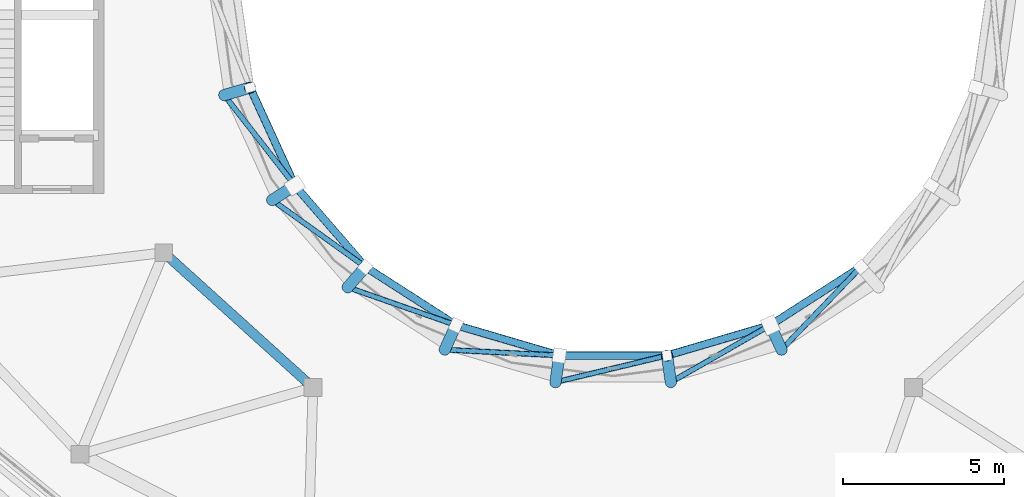
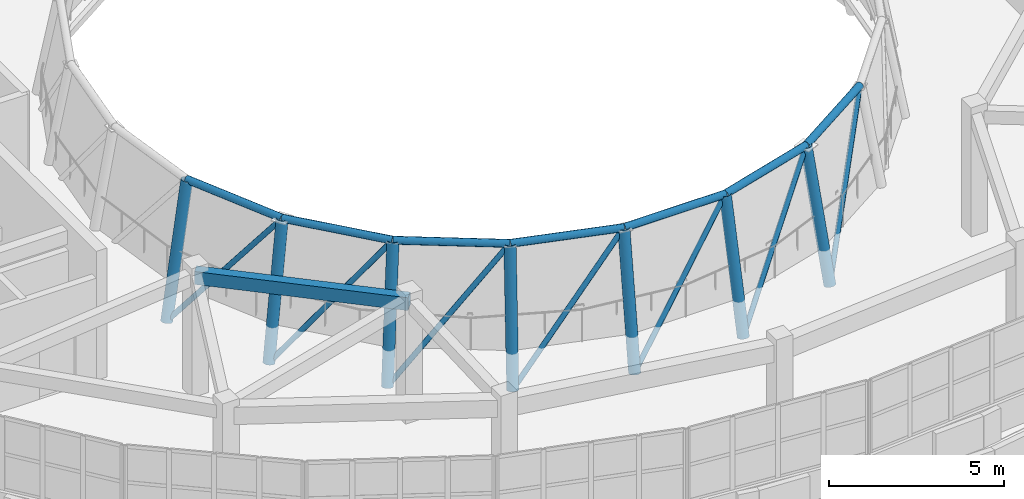
# One storey, part 7 of 46: 15 beams, 7 members.
"""IFC4 building model written with IfcOpenShell, lengths in metres."""

from ifc_helpers import new_model, si_unit, direction, frame, origin, origin_2d, place, context, subcontext, project, spatial, rectangle, hollow_circle, extrude, material, material_profile, profile_set, type_object, element, save


model = new_model("IFC4")

# Units and contexts
model_context = context("Model", 3, precision=1e-05, world=origin(), true_north=direction((0.0, 1.0)))
body_context = subcontext(model_context, "Body", "Model", "MODEL_VIEW")
ifc_project = project(units=[si_unit("LENGTHUNIT", "METRE"), si_unit("AREAUNIT", "SQUARE_METRE"), si_unit("VOLUMEUNIT", "CUBIC_METRE"), si_unit("PLANEANGLEUNIT", "RADIAN"), si_unit("MASSUNIT", "GRAM", prefix="KILO")], contexts=[model_context])

# Site, building, storey
site_placement = place(None, origin())
site = spatial("IfcSite", under=ifc_project, at=site_placement, CompositionType="ELEMENT")
building_placement = place(site_placement, origin())
building = spatial("IfcBuilding", under=site, at=building_placement, Name="Pelvatis Terrace Science Centre", CompositionType="ELEMENT")
storey_placement = place(building_placement, frame((0.0, 0.0, 19.800048828125)))
storey = spatial("IfcBuildingStorey", under=building, at=storey_placement, Name="L04", CompositionType="ELEMENT", Elevation=19.800048828125)

# Beams
ifc_material_1 = material(Name="Structural steel S355", Category="steel")
ifc_material_profile_1 = material_profile(ifc_material_1, hollow_circle(Radius=0.177734375, WallThickness=0.012451171875, at=origin_2d()), Name="CHS 355.6x12.5")
ifc_profile_set_1 = profile_set([ifc_material_profile_1], Name="Structural steel S355")
beam_type_1 = type_object("IfcBeamType", Name="BM-DOME-CHS355", PredefinedType="BEAM", material=ifc_profile_set_1)
for number, where, z_axis, x_axis, name in (
    (1, (97.1103515625, 82.250244140625, -1.199951171875), (0.174854376661, 0.051302667522, 0.983256824674), (-0.28153445715, 0.95955111872, 0.0), "Planetarium meridional dome rib 13.1"),
    (2, (98.60009765625, 78.98779296875, -1.199951171875), (0.153321899668, 0.098564078358, 0.983248451583), (-0.540757591313, 0.841178475377, 0.0), "Planetarium meridional dome rib 14.1"),
    (3, (100.94873046875, 76.277587890625, -1.199951171875), (0.119351906384, 0.137693290662, 0.983257687562), (-0.755640948866, 0.654986073438, 0.0), "Planetarium meridional dome rib 15.1"),
    (4, (103.9658203125, 74.338623046875, -1.199951171875), (0.075704559648, 0.165763214173, 0.983255499082), (-0.909625699298, 0.415428799166, 0.0), "Planetarium meridional dome rib 16.1"),
    (5, (107.40673828125, 73.328125, -1.199951171875), (0.025943664668, 0.180382897987, 0.983254258256), (-0.98981485559, 0.142360639413, 0.0), "Planetarium meridional dome rib 17.1"),
    (6, (110.9931640625, 73.328125, -1.199951171875), (-0.025943664668, 0.180382897987, 0.983254258256), (-0.98981485559, -0.142360639413, 0.0), "Planetarium meridional dome rib 18.1"),
    (7, (114.43408203125, 74.338623046875, -1.199951171875), (-0.075651700703, 0.165763881091, 0.98325945503), (-0.909735922328, -0.415187369299, 0.0), "Planetarium meridional dome rib 19.1"),
):
    element("IfcBeam", number, at=place(storey_placement, frame(where, z_axis=z_axis, x_axis=x_axis)), inside=storey, type_object=beam_type_1, Name=name, PredefinedType="BEAM", context=body_context, shape_type="SweptSolid", body=[
        extrude(hollow_circle(Radius=0.177734375, WallThickness=0.012451171875, at=origin_2d()), origin(), (0.0, 0.0, 1.0), 4.59228515625),
    ])
ifc_material_2 = material(Name="Structural steel S355", Category="steel")
ifc_material_profile_2 = material_profile(ifc_material_2, hollow_circle(Radius=0.122314453125, WallThickness=0.010009765625, at=origin_2d()), Name="CHS 244.5x10.0")
ifc_profile_set_2 = profile_set([ifc_material_profile_2], Name="Structural steel S355")
beam_type_2 = type_object("IfcBeamType", Name="BM-HOOP-CHS244", PredefinedType="BEAM", material=ifc_profile_set_2)
beam_1_placement = place(storey_placement, frame((97.913330078125, 82.48583984375, 3.3154296875), z_axis=(0.415434023951, -0.909623313105, 0.0), x_axis=(0.909623313105, 0.415434023951, 0.0)))
element("IfcBeam", 8, at=beam_1_placement, inside=storey, type_object=beam_type_2, Name="Planetarium dome hoop ring 2.13", PredefinedType="BEAM", context=body_context, shape_type="SweptSolid", body=[
    extrude(hollow_circle(Radius=0.122314453125, WallThickness=0.010009765625, at=origin_2d()), origin(), (0.0, 0.0, 1.0), 3.347900390625),
])
beam_2_placement = place(storey_placement, frame((99.30419921875, 79.4404296875, 3.3154296875), z_axis=(0.654847256188, -0.755761252687, 0.0), x_axis=(0.755761252687, 0.654847256188, 0.0)))
element("IfcBeam", 9, at=beam_2_placement, inside=storey, type_object=beam_type_2, Name="Planetarium dome hoop ring 2.14", PredefinedType="BEAM", context=body_context, shape_type="SweptSolid", body=[
    extrude(hollow_circle(Radius=0.122314453125, WallThickness=0.010009765625, at=origin_2d()), origin(), (0.0, 0.0, 1.0), 3.348388671875),
])
for number, where, z_axis, x_axis, name in (
    (10, (101.496826171875, 76.909912109375, 3.3154296875), (0.841266125032, -0.540621223107, 0.0), (0.540621223107, 0.841266125032, 0.0), "Planetarium dome hoop ring 2.15"),
    (11, (104.3134765625, 75.099853515625, 3.3154296875), (0.959483854309, -0.281763612483, 0.0), (0.281763612483, 0.959483854309, 0.0), "Planetarium dome hoop ring 2.16"),
    (12, (107.52587890625, 74.156494140625, 3.3154296875), (1.0, 0.0, 0.0), (0.0, 1.0, 0.0), "Planetarium dome hoop ring 2.17"),
):
    element("IfcBeam", number, at=place(storey_placement, frame(where, z_axis=z_axis, x_axis=x_axis)), inside=storey, type_object=beam_type_2, Name=name, PredefinedType="BEAM", context=body_context, shape_type="SweptSolid", body=[
        extrude(hollow_circle(Radius=0.122314453125, WallThickness=0.010009765625, at=origin_2d()), origin(), (0.0, 0.0, 1.0), 3.34814453125),
    ])
beam_3_placement = place(storey_placement, frame((110.8740234375, 74.156494140625, 3.3154296875), z_axis=(0.959489642889, 0.281743900002, 0.0), x_axis=(-0.281743900002, 0.959489642889, 0.0)))
element("IfcBeam", 13, at=beam_3_placement, inside=storey, type_object=beam_type_2, Name="Planetarium dome hoop ring 2.18", PredefinedType="BEAM", context=body_context, shape_type="SweptSolid", body=[
    extrude(hollow_circle(Radius=0.122314453125, WallThickness=0.010009765625, at=origin_2d()), origin(), (0.0, 0.0, 1.0), 3.348388671875),
])
beam_4_placement = place(storey_placement, frame((114.086669921875, 75.099853515625, 3.3154296875), z_axis=(0.841266125032, 0.540621223107, 0.0), x_axis=(-0.540621223107, 0.841266125032, 0.0)))
element("IfcBeam", 14, at=beam_4_placement, inside=storey, type_object=beam_type_2, Name="Planetarium dome hoop ring 2.19", PredefinedType="BEAM", context=body_context, shape_type="SweptSolid", body=[
    extrude(hollow_circle(Radius=0.122314453125, WallThickness=0.010009765625, at=origin_2d()), origin(), (0.0, 0.0, 1.0), 3.34814453125),
])
ifc_material_3 = material(Name="Concrete C35/45", Category="concrete")
ifc_material_profile_3 = material_profile(ifc_material_3, rectangle(XDim=0.300048828125, YDim=0.449951171875, at=origin_2d()), Name="RC-BM 300x450")
ifc_profile_set_3 = profile_set([ifc_material_profile_3], Name="Concrete C35/45")
beam_type_3 = type_object("IfcBeamType", Name="BM-RC-300x450", PredefinedType="BEAM", material=ifc_profile_set_3)
beam_5_placement = place(storey_placement, frame((95.231201171875, 77.355224609375, 4.02490234375), z_axis=(0.741551509184, -0.670895937704, 0.0), x_axis=(0.670895937704, 0.741551509184, 0.0)))
element("IfcBeam", 15, at=beam_5_placement, inside=storey, type_object=beam_type_3, Name="Beam BM-L04-3105", PredefinedType="BEAM", context=body_context, shape_type="SweptSolid", body=[
    extrude(rectangle(XDim=0.300048828125, YDim=0.449951171875, at=origin_2d()), origin(), (0.0, 0.0, 1.0), 6.250732421875),
])

# Members
ifc_material_4 = material(Name="Structural steel S355", Category="steel")
ifc_material_profile_4 = material_profile(ifc_material_4, hollow_circle(Radius=0.084228515625, WallThickness=0.00634765625, at=origin_2d()), Name="CHS 168.3x6.3")
ifc_profile_set_4 = profile_set([ifc_material_profile_4], Name="Structural steel S355")
member_type = type_object("IfcMemberType", Name="MEM-BRC-CHS168", PredefinedType="BRACE", material=ifc_profile_set_4)
for number, where, z_axis, x_axis, name in (
    (16, (97.1103515625, 82.250244140625, -1.199951171875), (0.381341605859, -0.488410921637, 0.784877921251), (0.788203965059, 0.615414095927, 0.0), "Planetarium dome lateral brace 1.13"),
    (17, (98.60009765625, 78.98779296875, -1.199951171875), (0.503514036331, -0.361180612154, 0.784870805051), (0.582869540712, 0.812565750269, 0.0), "Planetarium dome lateral brace 1.14"),
    (18, (100.94873046875, 76.277587890625, -1.199951171875), (0.584866054363, -0.204715850112, 0.784871402949), (0.330368727845, 0.943851950076, 0.0), "Planetarium dome lateral brace 1.15"),
    (19, (103.9658203125, 74.338623046875, -1.199951171875), (0.618828576045, -0.03165862829, 0.784887842131), (0.051092146603, 0.998693943386, 0.0), "Planetarium dome lateral brace 1.16"),
    (20, (107.40673828125, 73.328125, -1.199951171875), (0.602692421167, 0.14398925398, 0.784875111216), (-0.232370415934, 0.972627364307, 0.0), "Planetarium dome lateral brace 1.17"),
    (21, (110.9931640625, 73.328125, -1.199951171875), (0.53771676709, 0.307963900147, 0.784868724435), (-0.496986847009, 0.867758073371, 0.0), "Planetarium dome lateral brace 1.18"),
    (22, (114.43408203125, 74.338623046875, -1.199951171875), (0.429206731798, 0.446945352907, 0.784870328713), (-0.721275091067, 0.692648715444, 0.0), "Planetarium dome lateral brace 1.19"),
):
    element("IfcMember", number, at=place(storey_placement, frame(where, z_axis=z_axis, x_axis=x_axis)), inside=storey, type_object=member_type, Name=name, PredefinedType="BRACE", context=body_context, shape_type="SweptSolid", body=[
        extrude(hollow_circle(Radius=0.084228515625, WallThickness=0.00634765625, at=origin_2d()), origin(), (0.0, 0.0, 1.0), 5.7529296875),
    ])

save(model, "model.ifc")
